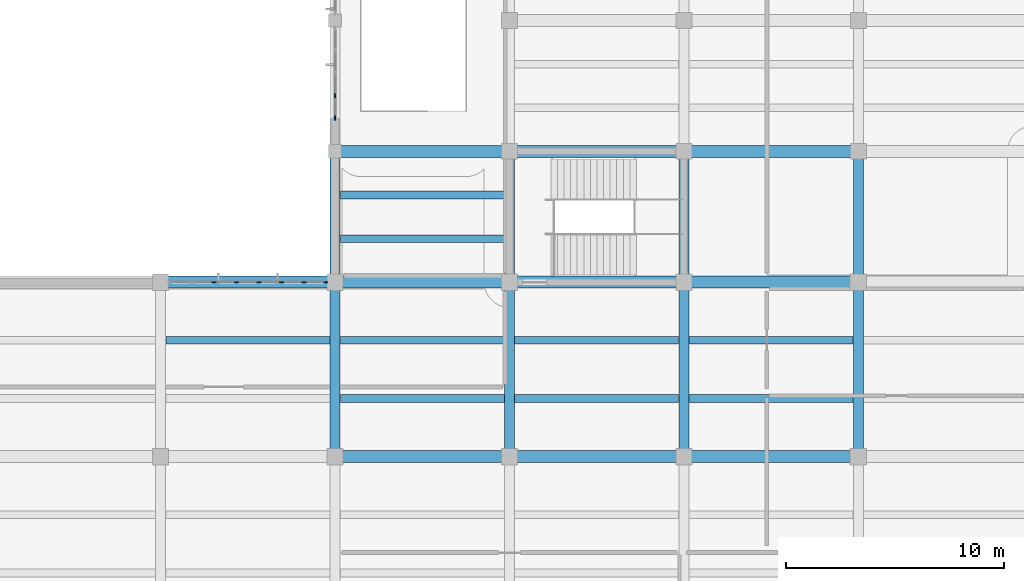
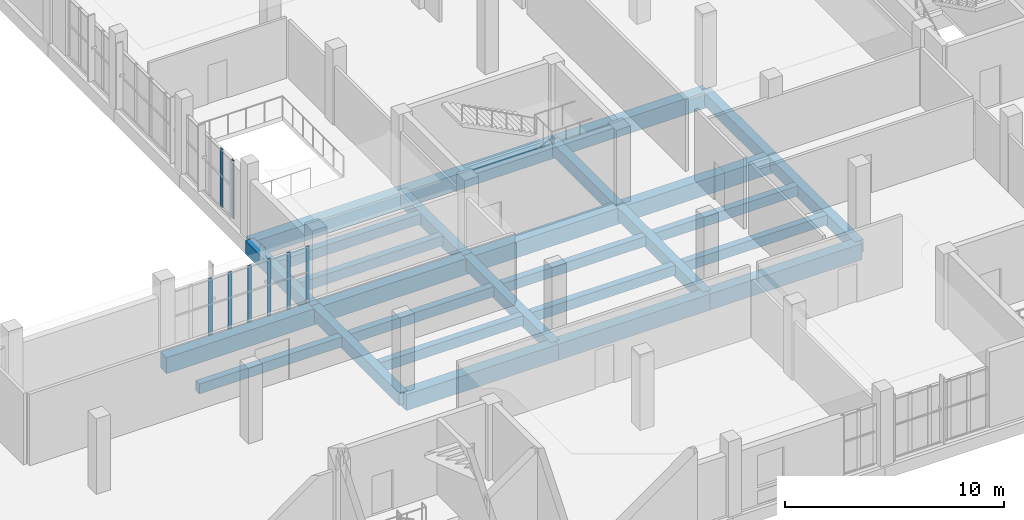
# One storey, part 15 of 85: 27 beams, 8 members, 2 elements without a shape of their own.
"""IFC4 building model written with IfcOpenShell, lengths in metres."""

from ifc_helpers import new_model, si_unit, direction, frame, origin, origin_2d, place, context, subcontext, project, spatial, rectangle, extrude, material, layer, layer_set, material_profile, profile_set, type_object, element, aggregate, save


model = new_model("IFC4")

# Units and contexts
model_context = context("Model", 3, precision=1e-05, world=origin(), true_north=direction((0.0, 1.0)))
body_context = subcontext(model_context, "Body", "Model", "MODEL_VIEW")
ifc_project = project(units=[si_unit("LENGTHUNIT", "METRE"), si_unit("AREAUNIT", "SQUARE_METRE"), si_unit("VOLUMEUNIT", "CUBIC_METRE"), si_unit("PLANEANGLEUNIT", "RADIAN"), si_unit("MASSUNIT", "GRAM", prefix="KILO")], contexts=[model_context])

# Site, building, storey
site_placement = place(None, origin())
site = spatial("IfcSite", under=ifc_project, at=site_placement, CompositionType="ELEMENT")
building_placement = place(site_placement, origin())
building = spatial("IfcBuilding", under=site, at=building_placement, Name="Solvane Community Centre", CompositionType="ELEMENT")
storey_placement = place(building_placement, frame((0.0, 0.0, 5.39990234375)))
storey = spatial("IfcBuildingStorey", under=building, at=storey_placement, Name="L01", CompositionType="ELEMENT", Elevation=5.39990234375)

# Curtain wall, members
ifc_material_1 = material(Name="Anodised bronze aluminium AW-6063 T6", Category="aluminium")
ifc_layer_1 = layer(ifc_material_1, 0.18994140625)
ifc_layer_set_1 = layer_set([ifc_layer_1], Name="Anodised bronze aluminium AW-6063 T6")
curtain_wall_type_1 = type_object("IfcCurtainWallType", Name="Boulevard Bronze Vision Curtain Wall [72x32dm]", PredefinedType="NOTDEFINED", material=ifc_layer_set_1)
curtain_wall_1_placement = place(storey_placement, origin())
curtain_wall_1 = element("IfcCurtainWall", 1, at=curtain_wall_1_placement, inside=storey, type_object=curtain_wall_type_1, Name="Curtain Wall CW-L01-1004_300-113", PredefinedType="NOTDEFINED")
ifc_material_profile_1 = material_profile(ifc_material_1, rectangle(XDim=0.06005859375, YDim=0.18994140625, at=origin_2d()), Name="CW-M 60x190")
ifc_profile_set_1 = profile_set([ifc_material_profile_1], Name="Anodised bronze aluminium AW-6063 T6")
member_type = type_object("IfcMemberType", Name="Boulevard Mullion 60x190", PredefinedType="MULLION", material=ifc_profile_set_1)
member_1_placement = place(storey_placement, frame((102.452880859375, 30.0, 0.0), z_axis=(0.0, 0.0, 1.0), x_axis=(0.0, 1.0, 0.0)))
member_1 = element("IfcMember", 2, at=member_1_placement, type_object=member_type, Name="CW02-72x32 mullion 3", PredefinedType="MULLION", context=body_context, shape_type="SweptSolid", body=[
    extrude(rectangle(XDim=0.06005859375, YDim=0.18994140625, at=origin_2d()), origin(), (0.0, 0.0, 1.0), 3.1650390625),
])
member_2_placement = place(storey_placement, frame((103.484375, 30.0, 0.0), z_axis=(0.0, 0.0, 1.0), x_axis=(0.0, 1.0, 0.0)))
member_2 = element("IfcMember", 3, at=member_2_placement, type_object=member_type, Name="CW02-72x32 mullion 4", PredefinedType="MULLION", context=body_context, shape_type="SweptSolid", body=[
    extrude(rectangle(XDim=0.06005859375, YDim=0.18994140625, at=origin_2d()), origin(), (0.0, 0.0, 1.0), 3.1650390625),
])
member_3_placement = place(storey_placement, frame((104.515625, 30.0, 0.0), z_axis=(0.0, 0.0, 1.0), x_axis=(0.0, 1.0, 0.0)))
member_3 = element("IfcMember", 4, at=member_3_placement, type_object=member_type, Name="CW02-72x32 mullion 5", PredefinedType="MULLION", context=body_context, shape_type="SweptSolid", body=[
    extrude(rectangle(XDim=0.06005859375, YDim=0.18994140625, at=origin_2d()), origin(), (0.0, 0.0, 1.0), 3.1650390625),
])
member_4_placement = place(storey_placement, frame((105.547119140625, 30.0, 0.0), z_axis=(0.0, 0.0, 1.0), x_axis=(0.0, 1.0, 0.0)))
member_4 = element("IfcMember", 5, at=member_4_placement, type_object=member_type, Name="CW02-72x32 mullion 6", PredefinedType="MULLION", context=body_context, shape_type="SweptSolid", body=[
    extrude(rectangle(XDim=0.06005859375, YDim=0.18994140625, at=origin_2d()), origin(), (0.0, 0.0, 1.0), 3.1650390625),
])
member_5_placement = place(storey_placement, frame((106.57861328125, 30.0, 0.0), z_axis=(0.0, 0.0, 1.0), x_axis=(0.0, 1.0, 0.0)))
member_5 = element("IfcMember", 6, at=member_5_placement, type_object=member_type, Name="CW02-72x32 mullion 7", PredefinedType="MULLION", context=body_context, shape_type="SweptSolid", body=[
    extrude(rectangle(XDim=0.06005859375, YDim=0.18994140625, at=origin_2d()), origin(), (0.0, 0.0, 1.0), 3.1650390625),
])
member_6_placement = place(storey_placement, frame((107.580078125, 30.0, 0.0), z_axis=(0.0, 0.0, 1.0), x_axis=(0.0, 1.0, 0.0)))
member_6 = element("IfcMember", 7, at=member_6_placement, type_object=member_type, Name="CW02-72x32 mullion 8", PredefinedType="MULLION", context=body_context, shape_type="SweptSolid", body=[
    extrude(rectangle(XDim=0.06005859375, YDim=0.18994140625, at=origin_2d()), origin(), (0.0, 0.0, 1.0), 3.1650390625),
])
aggregate(curtain_wall_1, [member_1, member_2, member_3, member_4, member_5, member_6])

ifc_layer_2 = layer(ifc_material_1, 0.18994140625)
ifc_layer_set_2 = layer_set([ifc_layer_2], Name="Anodised bronze aluminium AW-6063 T6")
curtain_wall_type_2 = type_object("IfcCurtainWallType", Name="Boulevard Bronze Vision Curtain Wall [42x32dm]", PredefinedType="NOTDEFINED", material=ifc_layer_set_2)
curtain_wall_2_placement = place(storey_placement, origin())
curtain_wall_2 = element("IfcCurtainWall", 8, at=curtain_wall_2_placement, inside=storey, type_object=curtain_wall_type_2, Name="Curtain Wall CW-L01-1080_375-114", PredefinedType="NOTDEFINED")
member_7_placement = place(storey_placement, frame((108.0, 37.530029296875, 0.0), z_axis=(0.0, 0.0, 1.0), x_axis=(-1.0, 0.0, 0.0)))
member_7 = element("IfcMember", 9, at=member_7_placement, type_object=member_type, Name="CW02-42x32 mullion 1", PredefinedType="MULLION", context=body_context, shape_type="SweptSolid", body=[
    extrude(rectangle(XDim=0.06005859375, YDim=0.18994140625, at=origin_2d()), origin(), (0.0, 0.0, 1.0), 3.2451171875),
])
member_8_placement = place(storey_placement, frame((108.0, 38.544921875, 0.0), z_axis=(0.0, 0.0, 1.0), x_axis=(-1.0, 0.0, 0.0)))
member_8 = element("IfcMember", 10, at=member_8_placement, type_object=member_type, Name="CW02-42x32 mullion 2", PredefinedType="MULLION", context=body_context, shape_type="SweptSolid", body=[
    extrude(rectangle(XDim=0.06005859375, YDim=0.18994140625, at=origin_2d()), origin(), (0.0, 0.0, 1.0), 3.2451171875),
])
aggregate(curtain_wall_2, [member_7, member_8])

# Beams
ifc_material_2 = material(Name="Concrete C35/45", Category="concrete")
ifc_material_profile_2 = material_profile(ifc_material_2, rectangle(XDim=0.4599609375, YDim=0.719970703125, at=origin_2d()), Name="RC 460x720")
ifc_profile_set_2 = profile_set([ifc_material_profile_2], Name="Concrete C35/45")
beam_type_1 = type_object("IfcBeamType", Name="RC Cloister Beam 460x720", PredefinedType="BEAM", material=ifc_profile_set_2)
for number, where, z_axis, x_axis, name in (
    (11, (108.0, 30.0, -0.599853515625), (0.0, 1.0, 0.0), (-1.0, 0.0, 0.0), "Beam BM-L01-1080_300-1080_360"),
    (12, (116.0, 30.0, -0.599853515625), (0.0, 1.0, 0.0), (-1.0, 0.0, 0.0), "Beam BM-L01-1160_300-1160_360"),
    (13, (124.0, 30.0, -0.599853515625), (0.0, 1.0, 0.0), (-1.0, 0.0, 0.0), "Beam BM-L01-1240_300-1240_360"),
    (14, (132.0, 30.0, -0.599853515625), (0.0, 1.0, 0.0), (-1.0, 0.0, 0.0), "Beam BM-L01-1320_300-1320_360"),
):
    element("IfcBeam", number, at=place(storey_placement, frame(where, z_axis=z_axis, x_axis=x_axis)), inside=storey, type_object=beam_type_1, Name=name, PredefinedType="BEAM", context=body_context, shape_type="SweptSolid", body=[
        extrude(rectangle(XDim=0.4599609375, YDim=0.719970703125, at=origin_2d()), origin(), (0.0, 0.0, 1.0), 6.0),
    ])
ifc_material_profile_3 = material_profile(ifc_material_2, rectangle(XDim=0.449951171875, YDim=0.699951171875, at=origin_2d()), Name="RC 450x700")
ifc_profile_set_3 = profile_set([ifc_material_profile_3], Name="Concrete C35/45")
beam_type_2 = type_object("IfcBeamType", Name="RC Floor Beam 450x700", PredefinedType="BEAM", material=ifc_profile_set_3)
for number, where, z_axis, x_axis, name in (
    (15, (108.0, 22.0, -0.58984375), (0.0, 1.0, 0.0), (-1.0, 0.0, 0.0), "Beam BM-L01-1080_220-1080_300"),
    (16, (116.0, 22.0, -0.58984375), (0.0, 1.0, 0.0), (-1.0, 0.0, 0.0), "Beam BM-L01-1160_220-1160_300"),
    (17, (124.0, 22.0, -0.58984375), (0.0, 1.0, 0.0), (-1.0, 0.0, 0.0), "Beam BM-L01-1240_220-1240_300"),
    (18, (132.0, 22.0, -0.58984375), (0.0, 1.0, 0.0), (-1.0, 0.0, 0.0), "Beam BM-L01-1320_220-1320_300"),
):
    element("IfcBeam", number, at=place(storey_placement, frame(where, z_axis=z_axis, x_axis=x_axis)), inside=storey, type_object=beam_type_2, Name=name, PredefinedType="BEAM", context=body_context, shape_type="SweptSolid", body=[
        extrude(rectangle(XDim=0.449951171875, YDim=0.699951171875, at=origin_2d()), origin(), (0.0, 0.0, 1.0), 8.0),
    ])
ifc_material_profile_4 = material_profile(ifc_material_2, rectangle(XDim=0.550048828125, YDim=0.89990234375, at=origin_2d()), Name="RC 550x900")
ifc_profile_set_4 = profile_set([ifc_material_profile_4], Name="Concrete C35/45")
beam_type_3 = type_object("IfcBeamType", Name="RC Heavy Girder 550x900", PredefinedType="USERDEFINED", material=ifc_profile_set_4)
for number, where, z_axis, x_axis, name in (
    (19, (108.0, 22.0, -0.68994140625), (1.0, 0.0, 0.0), (0.0, 1.0, 0.0), "Beam BM-L01-1080_220-1160_220"),
    (20, (116.0, 22.0, -0.68994140625), (1.0, 0.0, 0.0), (0.0, 1.0, 0.0), "Beam BM-L01-1160_220-1240_220"),
    (21, (124.0, 22.0, -0.68994140625), (1.0, 0.0, 0.0), (0.0, 1.0, 0.0), "Beam BM-L01-1240_220-1320_220"),
    (22, (100.0, 30.0, -0.68994140625), (1.0, 0.0, 0.0), (0.0, 1.0, 0.0), "Beam BM-L01-1000_300-1080_300"),
    (23, (108.0, 30.0, -0.68994140625), (1.0, 0.0, 0.0), (0.0, 1.0, 0.0), "Beam BM-L01-1080_300-1160_300"),
    (24, (116.0, 30.0, -0.68994140625), (1.0, 0.0, 0.0), (0.0, 1.0, 0.0), "Beam BM-L01-1160_300-1240_300"),
    (25, (124.0, 30.0, -0.68994140625), (1.0, 0.0, 0.0), (0.0, 1.0, 0.0), "Beam BM-L01-1240_300-1320_300"),
    (26, (108.0, 36.0, -0.68994140625), (1.0, 0.0, 0.0), (0.0, 1.0, 0.0), "Beam BM-L01-1080_360-1160_360"),
    (27, (116.0, 36.0, -0.68994140625), (1.0, 0.0, 0.0), (0.0, 1.0, 0.0), "Beam BM-L01-1160_360-1240_360"),
    (28, (124.0, 36.0, -0.68994140625), (1.0, 0.0, 0.0), (0.0, 1.0, 0.0), "Beam BM-L01-1240_360-1320_360"),
):
    element("IfcBeam", number, at=place(storey_placement, frame(where, z_axis=z_axis, x_axis=x_axis)), inside=storey, type_object=beam_type_3, Name=name, ObjectType="GIRDER", PredefinedType="USERDEFINED", context=body_context, shape_type="SweptSolid", body=[
        extrude(rectangle(XDim=0.550048828125, YDim=0.89990234375, at=origin_2d()), origin(), (0.0, 0.0, 1.0), 8.0),
    ])
ifc_material_profile_5 = material_profile(ifc_material_2, rectangle(XDim=0.35009765625, YDim=0.550048828125, at=origin_2d()), Name="RC 350x550")
ifc_profile_set_5 = profile_set([ifc_material_profile_5], Name="Concrete C35/45")
beam_type_4 = type_object("IfcBeamType", Name="RC Secondary Joist 350x550", PredefinedType="JOIST", material=ifc_profile_set_5)
for number, where, z_axis, x_axis, name in (
    (29, (100.239990234375, 27.333251953125, -0.514892578125), (1.0, 0.0, 0.0), (0.0, 1.0, 0.0), "Beam BM-L01-1002_273-1078_273"),
    (30, (108.239990234375, 24.666748046875, -0.514892578125), (1.0, 0.0, 0.0), (0.0, 1.0, 0.0), "Beam BM-L01-1082_247-1158_247"),
    (31, (108.239990234375, 27.333251953125, -0.514892578125), (1.0, 0.0, 0.0), (0.0, 1.0, 0.0), "Beam BM-L01-1082_273-1158_273"),
    (32, (108.239990234375, 32.0, -0.514892578125), (1.0, 0.0, 0.0), (0.0, 1.0, 0.0), "Beam BM-L01-1082_320-1158_320"),
    (33, (108.239990234375, 34.0, -0.514892578125), (1.0, 0.0, 0.0), (0.0, 1.0, 0.0), "Beam BM-L01-1082_340-1158_340"),
    (34, (116.239990234375, 24.666748046875, -0.514892578125), (1.0, 0.0, 0.0), (0.0, 1.0, 0.0), "Beam BM-L01-1162_247-1238_247"),
    (35, (116.239990234375, 27.333251953125, -0.514892578125), (1.0, 0.0, 0.0), (0.0, 1.0, 0.0), "Beam BM-L01-1162_273-1238_273"),
    (36, (124.239990234375, 24.666748046875, -0.514892578125), (1.0, 0.0, 0.0), (0.0, 1.0, 0.0), "Beam BM-L01-1242_247-1318_247"),
    (37, (124.239990234375, 27.333251953125, -0.514892578125), (1.0, 0.0, 0.0), (0.0, 1.0, 0.0), "Beam BM-L01-1242_273-1318_273"),
):
    element("IfcBeam", number, at=place(storey_placement, frame(where, z_axis=z_axis, x_axis=x_axis)), inside=storey, type_object=beam_type_4, Name=name, PredefinedType="JOIST", context=body_context, shape_type="SweptSolid", body=[
        extrude(rectangle(XDim=0.35009765625, YDim=0.550048828125, at=origin_2d()), origin(), (0.0, 0.0, 1.0), 7.52001953125),
    ])

save(model, "model.ifc")
